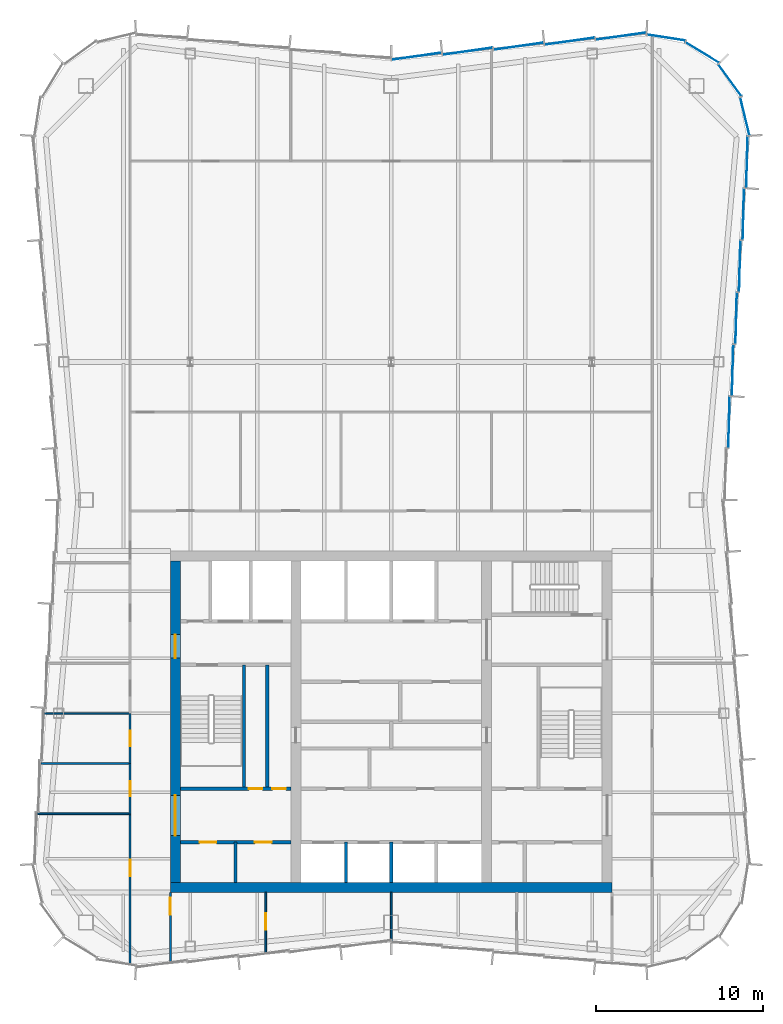
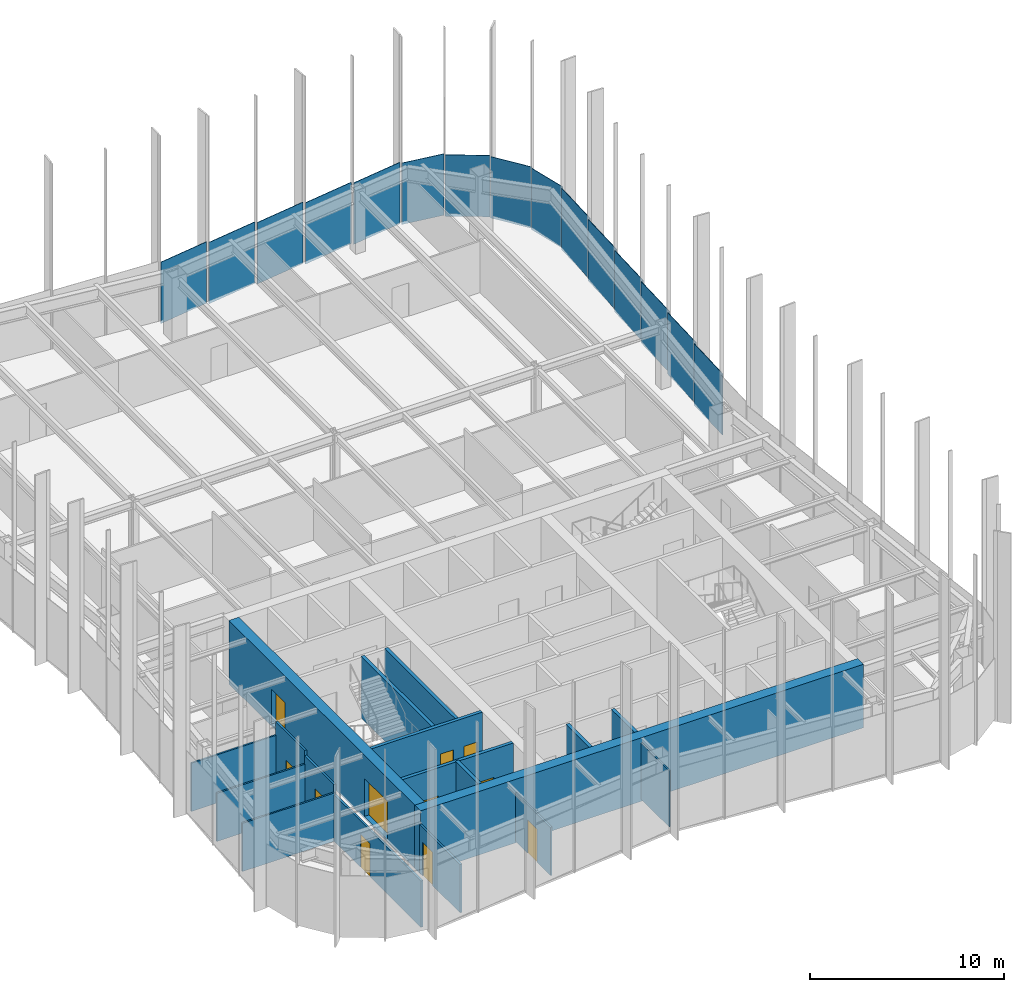
# One storey, part 9 of 13: 18 walls, 15 plates, 11 doors, 11 openings, 3 elements without a shape of their own.
"""IFC4 building model written with IfcOpenShell, lengths in metres."""

import ifcopenshell
import ifcopenshell.guid

model = None  # the IFC model being written
_history = None  # IfcOwnerHistory: only IFC2X3 demands one
_inside = {}  # id of a spatial element -> (the spatial element, [elements in it])
_under = {}  # id of a project, library or spatial element -> (it, [spatial elements below it])
_declared = {}  # id of a project -> (the project, [libraries it declares])
_typed = {}  # id of a type object -> (the type object, [elements of that type])
_made_of = {}  # id of a material, layer set ... -> (it, [elements and type objects made of it])


def new_model(schema):
    """Start an empty IFC model of exactly this schema.

    Asked for "IFC4X3", IfcOpenShell would pick the latest addendum, in which some entities
    have other attributes; the version numbers below select the first issue.
    IFC2X3 requires an IfcOwnerHistory on every rooted entity: one is made here for all.
    """
    global model, _history
    if schema == "IFC4X3":
        model = ifcopenshell.file(schema_version=(4, 3, 0, 0))
    else:
        model = ifcopenshell.file(schema=schema)
    _inside.clear()
    _under.clear()
    _declared.clear()
    _typed.clear()
    _made_of.clear()
    _history = None
    if model.schema == "IFC2X3":
        org = make("IfcOrganization", Name="unknown")
        user = make(
            "IfcPersonAndOrganization",
            ThePerson=make("IfcPerson", FamilyName="unknown"),
            TheOrganization=org,
        )
        app = make(
            "IfcApplication",
            ApplicationDeveloper=org,
            Version="unknown",
            ApplicationFullName="unknown",
            ApplicationIdentifier="unknown",
        )
        _history = make(
            "IfcOwnerHistory",
            OwningUser=user,
            OwningApplication=app,
            ChangeAction="ADDED",
            CreationDate=0,
        )
    return model


def make(cls, **values):
    """One entity of the class cls with the attributes given. An attribute that is None is left unset."""
    return model.create_entity(
        cls, **{name: value for name, value in values.items() if value is not None}
    )


def rooted(cls, **values):
    """An entity with a GlobalId (a new one), such as an element, a storey or a relation."""
    return make(cls, GlobalId=ifcopenshell.guid.new(), OwnerHistory=_history, **values)


def si_unit(unit_type, name, prefix=None):
    """IfcSIUnit, for example si_unit("LENGTHUNIT", "METRE", prefix="MILLI")."""
    return make("IfcSIUnit", UnitType=unit_type, Prefix=prefix, Name=name)


def assignment(units):
    """IfcUnitAssignment: the units of a project."""
    return None if units is None else make("IfcUnitAssignment", Units=units)


def point(xyz):
    """IfcCartesianPoint."""
    return None if xyz is None else make("IfcCartesianPoint", Coordinates=xyz)


def direction(xyz):
    """IfcDirection."""
    return None if xyz is None else make("IfcDirection", DirectionRatios=xyz)


def frame(location, z_axis=None, x_axis=None):
    """IfcAxis2Placement3D, a coordinate frame: its origin and axes. An axis left out is left unset."""
    return make(
        "IfcAxis2Placement3D",
        Location=point(location),
        Axis=direction(z_axis),
        RefDirection=direction(x_axis),
    )


def frame_2d(location, x_axis=None):
    """IfcAxis2Placement2D, a coordinate frame in the plane: its origin and x axis."""
    return make(
        "IfcAxis2Placement2D", Location=point(location), RefDirection=direction(x_axis)
    )


def origin():
    """The frame at (0, 0, 0) with its axes left unset."""
    return frame((0.0, 0.0, 0.0))


def origin_2d():
    """The frame at (0, 0) in the plane with its x axis left unset."""
    return frame_2d((0.0, 0.0))


def place(relative_to, where):
    """IfcLocalPlacement: puts the frame where relative to a parent placement (None: the world)."""
    return make(
        "IfcLocalPlacement", PlacementRelTo=relative_to, RelativePlacement=where
    )


def context(
    kind, dimensions, precision=None, world=None, true_north=None, identifier=None
):
    """IfcGeometricRepresentationContext, for example the 3D "Model" context."""
    return make(
        "IfcGeometricRepresentationContext",
        ContextIdentifier=identifier,
        ContextType=kind,
        CoordinateSpaceDimension=dimensions,
        Precision=precision,
        WorldCoordinateSystem=world,
        TrueNorth=true_north,
    )


def subcontext(parent, identifier, kind, view, scale=None):
    """IfcGeometricRepresentationSubContext, for example "Body" below "Model"."""
    return make(
        "IfcGeometricRepresentationSubContext",
        ContextIdentifier=identifier,
        ContextType=kind,
        ParentContext=parent,
        TargetScale=scale,
        TargetView=view,
    )


def project(units=None, contexts=None):
    """IfcProject with its units and contexts."""
    return rooted(
        "IfcProject",
        Name="project",
        RepresentationContexts=contexts,
        UnitsInContext=assignment(units),
    )


def spatial(cls, under=None, at=None, **own):
    """A site, building, storey or space (cls), placed at a placement, below another one or the project."""
    s = rooted(cls, ObjectPlacement=at, **own)
    if under is not None:
        _under.setdefault(under.id(), (under, []))[1].append(s)
    return s


def profile(cls, at=None, kind="AREA", **sizes):
    """A parametric profile (cls). Its sizes go by their IFC names, for example OverallWidth=200.0."""
    return make(cls, ProfileType=kind, Position=at, **sizes)


def rectangle(**sizes):
    """IfcRectangleProfileDef."""
    return profile("IfcRectangleProfileDef", **sizes)


def extrude(swept, where, along, depth):
    """IfcExtrudedAreaSolid: the profile swept, set in the frame where, extruded along a direction by depth."""
    return make(
        "IfcExtrudedAreaSolid",
        SweptArea=swept,
        Position=where,
        ExtrudedDirection=direction(along),
        Depth=depth,
    )


def shape(context_of_items, identifier, shape_type, items):
    """IfcShapeRepresentation: the items that make up one representation, for example the "Body"."""
    return make(
        "IfcShapeRepresentation",
        ContextOfItems=context_of_items,
        RepresentationIdentifier=identifier,
        RepresentationType=shape_type,
        Items=items,
    )


def material(Name=None, Category=None):
    """IfcMaterial."""
    return make("IfcMaterial", Name=Name, Category=Category)


def layer(
    of_material, thickness, ventilated=None, Name=None, Category=None, Priority=None
):
    """IfcMaterialLayer: one layer of a wall or slab, of a material (None: an air gap)."""
    return make(
        "IfcMaterialLayer",
        Material=of_material,
        LayerThickness=thickness,
        IsVentilated=ventilated,
        Name=Name,
        Category=Category,
        Priority=Priority,
    )


def layer_set(layers, Name=None):
    """IfcMaterialLayerSet."""
    return make("IfcMaterialLayerSet", MaterialLayers=layers, LayerSetName=Name)


def made_of(thing, what):
    """Note that an element or type object is made of a material, layer set ...; save() writes the relation."""
    if what is not None:
        _made_of.setdefault(what.id(), (what, []))[1].append(thing)
    return thing


def type_object(cls, material=None, **own):
    """A type object (cls), such as IfcWallType, which elements share."""
    return made_of(rooted(cls, **own), material)


def element(
    cls,
    number,
    at=None,
    inside=None,
    cuts=None,
    type_object=None,
    material=None,
    context=None,
    identifier="Body",
    shape_type=None,
    held_by="IfcProductDefinitionShape",
    body=None,
    shapes=None,
    **own,
):
    """One element of the class cls, such as IfcWall. Its Tag is "e" and its number.

    at: its placement. inside: the storey or other place that contains it. cuts: it is an
    opening in that element (IfcRelVoidsElement). A single representation is given by context,
    identifier, shape_type and body (its items); several are given by shapes. held_by: the class
    of the entity that holds the representations. save() writes the other relations.
    """
    e = rooted(cls, Tag="e%d" % number, ObjectPlacement=at, **own)
    if body is not None:
        shapes = [shape(context, identifier, shape_type, body)]
    if shapes is not None:
        e.Representation = make(held_by, Representations=shapes)
    if inside is not None:
        _inside.setdefault(inside.id(), (inside, []))[1].append(e)
    if cuts is not None:
        rooted(
            "IfcRelVoidsElement", RelatingBuildingElement=cuts, RelatedOpeningElement=e
        )
    if type_object is not None:
        _typed.setdefault(type_object.id(), (type_object, []))[1].append(e)
    return made_of(e, material)


def fill(opening, filler):
    """IfcRelFillsElement: the door or window that sits in an opening."""
    return rooted(
        "IfcRelFillsElement",
        RelatingOpeningElement=opening,
        RelatedBuildingElement=filler,
    )


def aggregate(whole, parts):
    """IfcRelAggregates: a whole, such as a stair, and the parts it consists of."""
    return rooted("IfcRelAggregates", RelatingObject=whole, RelatedObjects=parts)


def save(model, path):
    """Write the relations noted so far, then the file.

    IfcRelAggregates (storeys below a building ...), IfcRelContainedInSpatialStructure (elements
    in a storey), IfcRelDefinesByType, IfcRelAssociatesMaterial and IfcRelDeclares: one each for
    every whole, place, type object, material and project.
    """
    for whole, parts in _under.values():
        aggregate(whole, parts)
    for where, things in _inside.values():
        rooted(
            "IfcRelContainedInSpatialStructure",
            RelatedElements=things,
            RelatingStructure=where,
        )
    for kind, things in _typed.values():
        rooted("IfcRelDefinesByType", RelatedObjects=things, RelatingType=kind)
    for what, things in _made_of.values():
        rooted("IfcRelAssociatesMaterial", RelatedObjects=things, RelatingMaterial=what)
    for by, libraries in _declared.values():
        rooted("IfcRelDeclares", RelatingContext=by, RelatedDefinitions=libraries)
    model.write(path)


model = new_model("IFC4")

# Units and contexts
model_context = context("Model", 3, precision=1e-05, world=origin(), true_north=direction((0.0, 1.0)))
body_context = subcontext(model_context, "Body", "Model", "MODEL_VIEW")
ifc_project = project(units=[si_unit("LENGTHUNIT", "METRE"), si_unit("AREAUNIT", "SQUARE_METRE"), si_unit("VOLUMEUNIT", "CUBIC_METRE"), si_unit("PLANEANGLEUNIT", "RADIAN"), si_unit("MASSUNIT", "GRAM", prefix="KILO")], contexts=[model_context])

# Site, building, storey
site_placement = place(None, origin())
site = spatial("IfcSite", under=ifc_project, at=site_placement, CompositionType="ELEMENT")
building_placement = place(site_placement, origin())
building = spatial("IfcBuilding", under=site, at=building_placement, Name="Verdant Reach Tower", CompositionType="ELEMENT")
storey_placement = place(building_placement, frame((0.0, 0.0, 318.0)))
storey = spatial("IfcBuildingStorey", under=building, at=storey_placement, Name="L73", CompositionType="ELEMENT", Elevation=318.0)

# Curtain wall, plate
ifc_material_1 = material(Name="Anodised aluminium", Category="aluminium")
curtain_wall_type = type_object("IfcCurtainWallType", Name="EN-CW SYSTEM Z5", PredefinedType="NOTDEFINED", material=ifc_material_1)
curtain_wall_1_placement = place(storey_placement, origin())
curtain_wall_1 = element("IfcCurtainWall", 1, at=curtain_wall_1_placement, inside=storey, type_object=curtain_wall_type, Name="Curtain wall east, L73", PredefinedType="NOTDEFINED")
ifc_material_2 = material(Name="Tinted glass with champagne spandrel", Category="glass")
ifc_layer_1 = layer(ifc_material_2, 0.031982421875)
ifc_layer_set_1 = layer_set([ifc_layer_1], Name="EN-PANEL CHAMPAGNE")
plate_type_1 = type_object("IfcPlateType", Name="EN-PANEL CHAMPAGNE", PredefinedType="CURTAIN_PANEL", material=ifc_layer_set_1)
plate_1_placement = place(storey_placement, frame((20.18603515625, 45.90283203125, -0.219970703125), z_axis=(0.0, 0.0, 1.0), x_axis=(0.026965318308, 0.999636369691, 0.0)))
plate_1 = element("IfcPlate", 2, at=plate_1_placement, type_object=plate_type_1, Name="Glass panel east face part 2 2.1, L73", PredefinedType="CURTAIN_PANEL", context=body_context, shape_type="SweptSolid", body=[
    extrude(rectangle(XDim=3.048583984375, YDim=0.031982421875, at=origin_2d()), origin(), (0.0, 0.0, 1.0), 3.8701171875),
])

curtain_wall_2_placement = place(storey_placement, origin())
curtain_wall_2 = element("IfcCurtainWall", 3, at=curtain_wall_2_placement, inside=storey, type_object=curtain_wall_type, Name="Curtain wall north, L73", PredefinedType="NOTDEFINED")
plate_2_placement = place(storey_placement, frame((1.519287109375, 67.7646484375, -0.219970703125), z_axis=(0.0, 0.0, 1.0), x_axis=(-0.990200074141, -0.139656053116, 0.0)))
plate_2 = element("IfcPlate", 4, at=plate_2_placement, type_object=plate_type_1, Name="Glass panel north face part 1 5.1, L73", PredefinedType="CURTAIN_PANEL", context=body_context, shape_type="SweptSolid", body=[
    extrude(rectangle(XDim=2.987548828125, YDim=0.031982421875, at=origin_2d()), origin(), (0.0, 0.0, 1.0), 3.8701171875),
])

# Plate
ifc_material_3 = material(Name="Tinted glass with copper spandrel", Category="glass")
ifc_layer_2 = layer(ifc_material_3, 0.031982421875)
ifc_layer_set_2 = layer_set([ifc_layer_2], Name="EN-PANEL COPPER")
plate_type_2 = type_object("IfcPlateType", Name="EN-PANEL COPPER", PredefinedType="CURTAIN_PANEL", material=ifc_layer_set_2)
plate_3_placement = place(storey_placement, frame((20.400390625, 49.010009765625, -0.219970703125), z_axis=(0.0, 0.0, 1.0), x_axis=(0.026965318308, 0.999636369691, 0.0)))
plate_3 = element("IfcPlate", 5, at=plate_3_placement, type_object=plate_type_2, Name="Glass panel east face part 2 3.1, L73", PredefinedType="CURTAIN_PANEL", context=body_context, shape_type="SweptSolid", body=[
    extrude(rectangle(XDim=3.048583984375, YDim=0.031982421875, at=origin_2d()), origin(), (0.0, 0.0, 1.0), 3.8701171875),
])

plate_4_placement = place(storey_placement, frame((20.61474609375, 52.1171875, -0.219970703125), z_axis=(0.0, 0.0, 1.0), x_axis=(0.026965318308, 0.999636369691, 0.0)))
plate_4 = element("IfcPlate", 6, at=plate_4_placement, type_object=plate_type_2, Name="Glass panel east face part 2 4.1, L73", PredefinedType="CURTAIN_PANEL", context=body_context, shape_type="SweptSolid", body=[
    extrude(rectangle(XDim=3.048583984375, YDim=0.031982421875, at=origin_2d()), origin(), (0.0, 0.0, 1.0), 3.8701171875),
])

# Curtain wall, plates
curtain_wall_3_placement = place(storey_placement, origin())
curtain_wall_3 = element("IfcCurtainWall", 7, at=curtain_wall_3_placement, inside=storey, type_object=curtain_wall_type, Name="Curtain wall north-east corner, L73", PredefinedType="NOTDEFINED")
plate_5_placement = place(storey_placement, frame((21.132080078125, 64.173828125, -0.219970703125), z_axis=(0.0, 0.0, 1.0), x_axis=(-0.236471447122, 0.971638438256, 0.0)))
plate_5 = element("IfcPlate", 8, at=plate_5_placement, type_object=plate_type_2, Name="Glass panel north-east corner 1.1, L73", PredefinedType="CURTAIN_PANEL", context=body_context, shape_type="SweptSolid", body=[
    extrude(rectangle(XDim=2.312744140625, YDim=0.031982421875, at=origin_2d()), origin(), (0.0, 0.0, 1.0), 3.8701171875),
])
plate_6_placement = place(storey_placement, frame((20.23681640625, 66.33203125, -0.219970703125), z_axis=(0.0, 0.0, 1.0), x_axis=(-0.58992672698, 0.807456783236, 0.0)))
plate_6 = element("IfcPlate", 9, at=plate_6_placement, type_object=plate_type_2, Name="Glass panel north-east corner 2.1, L73", PredefinedType="CURTAIN_PANEL", context=body_context, shape_type="SweptSolid", body=[
    extrude(rectangle(XDim=2.320068359375, YDim=0.031982421875, at=origin_2d()), origin(), (0.0, 0.0, 1.0), 3.8701171875),
])
plate_7_placement = place(storey_placement, frame((18.58203125, 67.98681640625, -0.219970703125), z_axis=(0.0, 0.0, 1.0), x_axis=(-0.853988714885, 0.520291528711, 0.0)))
plate_7 = element("IfcPlate", 10, at=plate_7_placement, type_object=plate_type_2, Name="Glass panel north-east corner 3.1, L73", PredefinedType="CURTAIN_PANEL", context=body_context, shape_type="SweptSolid", body=[
    extrude(rectangle(XDim=2.320068359375, YDim=0.031982421875, at=origin_2d()), origin(), (0.0, 0.0, 1.0), 3.8701171875),
])

# Plate
plate_8_placement = place(storey_placement, frame((13.72216796875, 68.964599609375, -0.219970703125), z_axis=(0.0, 0.0, 1.0), x_axis=(-0.990281521639, -0.139077345032, 0.0)))
plate_8 = element("IfcPlate", 11, at=plate_8_placement, type_object=plate_type_2, Name="Glass panel north face part 1 1.1, L73", PredefinedType="CURTAIN_PANEL", context=body_context, shape_type="SweptSolid", body=[
    extrude(rectangle(XDim=3.015625, YDim=0.031982421875, at=origin_2d()), origin(), (0.0, 0.0, 1.0), 3.8701171875),
])

ifc_material_4 = material(Name="Tinted glass with dark bronze spandrel", Category="glass")
ifc_layer_3 = layer(ifc_material_4, 0.031982421875)
ifc_layer_set_3 = layer_set([ifc_layer_3], Name="EN-PANEL DARK")
plate_type_3 = type_object("IfcPlateType", Name="EN-PANEL DARK", PredefinedType="CURTAIN_PANEL", material=ifc_layer_set_3)
plate_9_placement = place(storey_placement, frame((20.8291015625, 55.22412109375, -0.219970703125), z_axis=(0.0, 0.0, 1.0), x_axis=(0.026965318308, 0.999636369691, 0.0)))
plate_9 = element("IfcPlate", 12, at=plate_9_placement, type_object=plate_type_3, Name="Glass panel east face part 2 5.1, L73", PredefinedType="CURTAIN_PANEL", context=body_context, shape_type="SweptSolid", body=[
    extrude(rectangle(XDim=3.048583984375, YDim=0.031982421875, at=origin_2d()), origin(), (0.0, 0.0, 1.0), 3.8701171875),
])

plate_10_placement = place(storey_placement, frame((21.043212890625, 58.331298828125, -0.219970703125), z_axis=(0.0, 0.0, 1.0), x_axis=(0.026965318308, 0.999636369691, 0.0)))
plate_10 = element("IfcPlate", 13, at=plate_10_placement, type_object=plate_type_3, Name="Glass panel east face part 2 6.1, L73", PredefinedType="CURTAIN_PANEL", context=body_context, shape_type="SweptSolid", body=[
    extrude(rectangle(XDim=3.048583984375, YDim=0.031982421875, at=origin_2d()), origin(), (0.0, 0.0, 1.0), 3.8701171875),
])

plate_11_placement = place(storey_placement, frame((21.257568359375, 61.446044921875, -0.219970703125), z_axis=(0.0, 0.0, 1.0), x_axis=(0.026642881595, 0.999645015423, 0.0)))
plate_11 = element("IfcPlate", 14, at=plate_11_placement, type_object=plate_type_3, Name="Glass panel east face part 2 7.1, L73", PredefinedType="CURTAIN_PANEL", context=body_context, shape_type="SweptSolid", body=[
    extrude(rectangle(XDim=3.063720703125, YDim=0.031982421875, at=origin_2d()), origin(), (0.0, 0.0, 1.0), 3.8701171875),
])

aggregate(curtain_wall_1, [plate_1, plate_3, plate_4, plate_9, plate_10, plate_11])

plate_12_placement = place(storey_placement, frame((16.4228515625, 68.88232421875, -0.219970703125), z_axis=(0.0, 0.0, 1.0), x_axis=(-0.988033409454, 0.154240013621, 0.0)))
plate_12 = element("IfcPlate", 15, at=plate_12_placement, type_object=plate_type_3, Name="Glass panel north-east corner 4.1, L73", PredefinedType="CURTAIN_PANEL", context=body_context, shape_type="SweptSolid", body=[
    extrude(rectangle(XDim=2.314453125, YDim=0.031982421875, at=origin_2d()), origin(), (0.0, 0.0, 1.0), 3.8701171875),
])

aggregate(curtain_wall_3, [plate_5, plate_6, plate_7, plate_12])

plate_13_placement = place(storey_placement, frame((10.663818359375, 68.66455078125, -0.219970703125), z_axis=(0.0, 0.0, 1.0), x_axis=(-0.990225318365, -0.139476947446, 0.0)))
plate_13 = element("IfcPlate", 16, at=plate_13_placement, type_object=plate_type_3, Name="Glass panel north face part 1 2.1, L73", PredefinedType="CURTAIN_PANEL", context=body_context, shape_type="SweptSolid", body=[
    extrude(rectangle(XDim=2.998779296875, YDim=0.031982421875, at=origin_2d()), origin(), (0.0, 0.0, 1.0), 3.8701171875),
])

plate_14_placement = place(storey_placement, frame((7.61376953125, 68.364501953125, -0.219970703125), z_axis=(0.0, 0.0, 1.0), x_axis=(-0.990225318365, -0.139476947446, 0.0)))
plate_14 = element("IfcPlate", 17, at=plate_14_placement, type_object=plate_type_3, Name="Glass panel north face part 1 3.1, L73", PredefinedType="CURTAIN_PANEL", context=body_context, shape_type="SweptSolid", body=[
    extrude(rectangle(XDim=2.998779296875, YDim=0.031982421875, at=origin_2d()), origin(), (0.0, 0.0, 1.0), 3.8701171875),
])

plate_15_placement = place(storey_placement, frame((4.563720703125, 68.064453125, -0.219970703125), z_axis=(0.0, 0.0, 1.0), x_axis=(-0.990225318365, -0.139476947446, 0.0)))
plate_15 = element("IfcPlate", 18, at=plate_15_placement, type_object=plate_type_3, Name="Glass panel north face part 1 4.1, L73", PredefinedType="CURTAIN_PANEL", context=body_context, shape_type="SweptSolid", body=[
    extrude(rectangle(XDim=2.998779296875, YDim=0.031982421875, at=origin_2d()), origin(), (0.0, 0.0, 1.0), 3.8701171875),
])

aggregate(curtain_wall_2, [plate_8, plate_13, plate_14, plate_15, plate_2])

# Wall, openings, doors
ifc_material_5 = material(Name="Gypsum board on steel studs", Category="steel")
ifc_layer_4 = layer(ifc_material_5, 0.199951171875)
ifc_layer_set_4 = layer_set([ifc_layer_4], Name="CO-WALL-ROOM")
wall_type_1 = type_object("IfcWallType", Name="CO-WALL-ROOM", PredefinedType="PARTITIONING", material=ifc_layer_set_4)
wall_1_placement = place(storey_placement, frame((-12.60009765625, 20.800048828125, 0.0), z_axis=(0.0, 0.0, 1.0), x_axis=(1.0, 0.0, 0.0)))
wall_1 = element("IfcWall", 19, at=wall_1_placement, inside=storey, type_object=wall_type_1, Name="Core partition, L73", PredefinedType="PARTITIONING", context=body_context, shape_type="SweptSolid", body=[
    extrude(rectangle(XDim=6.60009765625, YDim=0.199951171875, at=frame_2d((3.300048828125, 0.0))), origin(), (0.0, 0.0, 1.0), 3.8701171875),
])
opening_1_placement = place(wall_1_placement, frame((1.14990234375, 0.0, 0.0)))
opening_1 = element("IfcOpeningElement", 20, at=opening_1_placement, cuts=wall_1, Name="Opening CD", PredefinedType="OPENING", context=body_context, shape_type="SweptSolid", body=[
    extrude(rectangle(XDim=1.0, YDim=2.10009765625, at=frame_2d((0.5, 1.050048828125))), frame((0.0, 0.10986328125, 0.0), z_axis=(0.0, -1.0, 0.0), x_axis=(1.0, 0.0, 0.0)), (0.0, 0.0, 1.0), 0.219970703125),
])
opening_2_placement = place(wall_1_placement, frame((4.449951171875, 0.0, 0.0)))
opening_2 = element("IfcOpeningElement", 21, at=opening_2_placement, cuts=wall_1, Name="Opening CD", PredefinedType="OPENING", context=body_context, shape_type="SweptSolid", body=[
    extrude(rectangle(XDim=1.0, YDim=2.10009765625, at=frame_2d((0.5, 1.050048828125))), frame((0.0, 0.10986328125, 0.0), z_axis=(0.0, -1.0, 0.0), x_axis=(1.0, 0.0, 0.0)), (0.0, 0.0, 1.0), 0.219970703125),
])
ifc_material_6 = material(Name="Timber", Category="wood")
door_type_1 = type_object("IfcDoorType", Name="CO-DOOR-ROOM", OperationType="NOTDEFINED", PredefinedType="DOOR", material=ifc_material_6)
door_1_placement = place(opening_1_placement, origin())
door_1 = element("IfcDoor", 22, at=door_1_placement, inside=storey, type_object=door_type_1, Name="Core room door, L73", OperationType="SINGLE_SWING_LEFT", OverallHeight=2.10009765625, OverallWidth=1.0, PredefinedType="DOOR", context=body_context, shape_type="SweptSolid", body=[
    extrude(rectangle(XDim=1.0, YDim=2.10009765625, at=frame_2d((0.5, 1.050048828125))), frame((0.0, 0.02490234375, 0.0), z_axis=(0.0, -1.0, 0.0), x_axis=(1.0, 0.0, 0.0)), (0.0, 0.0, 1.0), 0.050048828125),
])
fill(opening_1, door_1)
door_2_placement = place(opening_2_placement, origin())
door_2 = element("IfcDoor", 23, at=door_2_placement, inside=storey, type_object=door_type_1, Name="Core room door, L73", OperationType="SINGLE_SWING_LEFT", OverallHeight=2.10009765625, OverallWidth=1.0, PredefinedType="DOOR", context=body_context, shape_type="SweptSolid", body=[
    extrude(rectangle(XDim=1.0, YDim=2.10009765625, at=frame_2d((0.5, 1.050048828125))), frame((0.0, 0.02490234375, 0.0), z_axis=(0.0, -1.0, 0.0), x_axis=(1.0, 0.0, 0.0)), (0.0, 0.0, 1.0), 0.050048828125),
])
fill(opening_2, door_2)

# Walls
wall_2_placement = place(storey_placement, frame((-9.300048828125, 18.39990234375, 0.0), z_axis=(0.0, 0.0, 1.0), x_axis=(0.0, 1.0, 0.0)))
element("IfcWall", 24, at=wall_2_placement, inside=storey, type_object=wall_type_1, Name="Core partition, L73", PredefinedType="PARTITIONING", context=body_context, shape_type="SweptSolid", body=[
    extrude(rectangle(XDim=2.400146484375, YDim=0.199951171875, at=frame_2d((1.2001953125, 0.0))), origin(), (0.0, 0.0, 1.0), 3.8701171875),
])
wall_3_placement = place(storey_placement, frame((-7.39990234375, 24.0, 0.0), z_axis=(0.0, 0.0, 1.0), x_axis=(0.0, 1.0, 0.0)))
element("IfcWall", 25, at=wall_3_placement, inside=storey, type_object=wall_type_1, Name="Core partition, L73", PredefinedType="PARTITIONING", context=body_context, shape_type="SweptSolid", body=[
    extrude(rectangle(XDim=7.39990234375, YDim=0.199951171875, at=frame_2d((3.699951171875, 0.0))), origin(), (0.0, 0.0, 1.0), 3.8701171875),
])
ifc_material_7 = material(Name="Concrete C40/50", Category="concrete")
ifc_layer_5 = layer(ifc_material_7, 0.199951171875)
ifc_layer_set_5 = layer_set([ifc_layer_5], Name="CO-WALL-SHAFT")
wall_type_2 = type_object("IfcWallType", Name="CO-WALL-SHAFT", PredefinedType="PARTITIONING", material=ifc_layer_set_5)
for number, where, z_axis, x_axis, name in (
    (26, (-2.699951171875, 18.39990234375, 0.0), (0.0, 0.0, 1.0), (0.0, 1.0, 0.0), "Lift shaft wall, L73"),
    (27, (0.0, 18.39990234375, 0.0), (0.0, 0.0, 1.0), (0.0, 1.0, 0.0), "Lift shaft wall, L73"),
):
    element("IfcWall", number, at=place(storey_placement, frame(where, z_axis=z_axis, x_axis=x_axis)), inside=storey, type_object=wall_type_2, Name=name, PredefinedType="PARTITIONING", context=body_context, shape_type="SweptSolid", body=[
        extrude(rectangle(XDim=2.400146484375, YDim=0.199951171875, at=frame_2d((1.2001953125, 0.0))), origin(), (0.0, 0.0, 1.0), 3.8701171875),
    ])

# Wall, openings, doors
ifc_layer_6 = layer(ifc_material_7, 0.199951171875)
ifc_layer_set_6 = layer_set([ifc_layer_6], Name="CO-WALL-STAIR")
wall_type_3 = type_object("IfcWallType", Name="CO-WALL-STAIR", PredefinedType="PARTITIONING", material=ifc_layer_set_6)
wall_4_placement = place(storey_placement, frame((-12.60009765625, 24.0, 0.0), z_axis=(0.0, 0.0, 1.0), x_axis=(1.0, 0.0, 0.0)))
wall_4 = element("IfcWall", 28, at=wall_4_placement, inside=storey, type_object=wall_type_3, Name="Stair enclosure wall, L73", PredefinedType="PARTITIONING", context=body_context, shape_type="SweptSolid", body=[
    extrude(rectangle(XDim=6.60009765625, YDim=0.199951171875, at=frame_2d((3.300048828125, 0.0))), origin(), (0.0, 0.0, 1.0), 3.8701171875),
])
opening_3_placement = place(wall_4_placement, frame((4.10009765625, 0.0, 0.0)))
opening_3 = element("IfcOpeningElement", 29, at=opening_3_placement, cuts=wall_4, Name="Opening CDN", PredefinedType="OPENING", context=body_context, shape_type="SweptSolid", body=[
    extrude(rectangle(XDim=0.800048828125, YDim=2.10009765625, at=frame_2d((0.39990234375, 1.050048828125))), frame((0.0, 0.10986328125, 0.0), z_axis=(0.0, -1.0, 0.0), x_axis=(1.0, 0.0, 0.0)), (0.0, 0.0, 1.0), 0.219970703125),
])
opening_4_placement = place(wall_4_placement, frame((5.5, 0.0, 0.0)))
opening_4 = element("IfcOpeningElement", 30, at=opening_4_placement, cuts=wall_4, Name="Opening CDN", PredefinedType="OPENING", context=body_context, shape_type="SweptSolid", body=[
    extrude(rectangle(XDim=0.800048828125, YDim=2.10009765625, at=frame_2d((0.39990234375, 1.050048828125))), frame((0.0, 0.10986328125, 0.0), z_axis=(0.0, -1.0, 0.0), x_axis=(1.0, 0.0, 0.0)), (0.0, 0.0, 1.0), 0.219970703125),
])
door_type_2 = type_object("IfcDoorType", Name="CO-DOOR-ROOM-NARROW", OperationType="NOTDEFINED", PredefinedType="DOOR", material=ifc_material_6)
door_3_placement = place(opening_3_placement, origin())
door_3 = element("IfcDoor", 31, at=door_3_placement, inside=storey, type_object=door_type_2, Name="Core room door, L73", OperationType="SINGLE_SWING_LEFT", OverallHeight=2.10009765625, OverallWidth=0.800048828125, PredefinedType="DOOR", context=body_context, shape_type="SweptSolid", body=[
    extrude(rectangle(XDim=0.800048828125, YDim=2.10009765625, at=frame_2d((0.39990234375, 1.050048828125))), frame((0.0, 0.02490234375, 0.0), z_axis=(0.0, -1.0, 0.0), x_axis=(1.0, 0.0, 0.0)), (0.0, 0.0, 1.0), 0.050048828125),
])
fill(opening_3, door_3)
door_4_placement = place(opening_4_placement, origin())
door_4 = element("IfcDoor", 32, at=door_4_placement, inside=storey, type_object=door_type_2, Name="Core room door, L73", OperationType="SINGLE_SWING_RIGHT", OverallHeight=2.10009765625, OverallWidth=0.800048828125, PredefinedType="DOOR", context=body_context, shape_type="SweptSolid", body=[
    extrude(rectangle(XDim=0.800048828125, YDim=2.10009765625, at=frame_2d((0.39990234375, 1.050048828125))), frame((0.0, 0.02490234375, 0.0), z_axis=(0.0, -1.0, 0.0), x_axis=(1.0, 0.0, 0.0)), (0.0, 0.0, 1.0), 0.050048828125),
])
fill(opening_4, door_4)

# Walls
wall_5_placement = place(storey_placement, frame((-8.800048828125, 24.0, 0.0), z_axis=(0.0, 0.0, 1.0), x_axis=(0.0, 1.0, 0.0)))
element("IfcWall", 33, at=wall_5_placement, inside=storey, type_object=wall_type_3, Name="Stair enclosure wall, L73", PredefinedType="PARTITIONING", context=body_context, shape_type="SweptSolid", body=[
    extrude(rectangle(XDim=7.39990234375, YDim=0.199951171875, at=frame_2d((3.699951171875, 0.0))), origin(), (0.0, 0.0, 1.0), 3.8701171875),
])
ifc_layer_7 = layer(ifc_material_5, 0.10009765625)
ifc_layer_set_7 = layer_set([ifc_layer_7], Name="FL-W1 Partition 100")
wall_type_4 = type_object("IfcWallType", Name="FL-W1 Partition 100", PredefinedType="PARTITIONING", material=ifc_layer_set_7)
wall_6_placement = place(storey_placement, frame((-15.60009765625, 22.5, 0.0), z_axis=(0.0, 0.0, 1.0), x_axis=(-1.0, 0.0, 0.0)))
element("IfcWall", 34, at=wall_6_placement, inside=storey, type_object=wall_type_4, Name="Partition 73.16", PredefinedType="PARTITIONING", context=body_context, shape_type="SweptSolid", body=[
    extrude(rectangle(XDim=5.52294921875, YDim=0.10009765625, at=frame_2d((2.761474609375, 0.0))), origin(), (0.0, 0.0, 1.0), 3.0400390625),
])
wall_7_placement = place(storey_placement, frame((-15.60009765625, 25.5, 0.0), z_axis=(0.0, 0.0, 1.0), x_axis=(-1.0, 0.0, 0.0)))
element("IfcWall", 35, at=wall_7_placement, inside=storey, type_object=wall_type_4, Name="Partition 73.17", PredefinedType="PARTITIONING", context=body_context, shape_type="SweptSolid", body=[
    extrude(rectangle(XDim=5.316162109375, YDim=0.10009765625, at=frame_2d((2.658203125, 0.0))), origin(), (0.0, 0.0, 1.0), 3.0400390625),
])
wall_8_placement = place(storey_placement, frame((-15.60009765625, 28.5, 0.0), z_axis=(0.0, 0.0, 1.0), x_axis=(-1.0, 0.0, 0.0)))
element("IfcWall", 36, at=wall_8_placement, inside=storey, type_object=wall_type_4, Name="Partition 73.18", PredefinedType="PARTITIONING", context=body_context, shape_type="SweptSolid", body=[
    extrude(rectangle(XDim=5.109130859375, YDim=0.10009765625, at=frame_2d((2.5546875, 0.0))), origin(), (0.0, 0.0, 1.0), 3.0400390625),
])

# Wall, opening, door
wall_9_placement = place(storey_placement, frame((-7.5, 17.800048828125, 0.0), z_axis=(0.0, 0.0, 1.0), x_axis=(0.0, -1.0, 0.0)))
wall_9 = element("IfcWall", 37, at=wall_9_placement, inside=storey, type_object=wall_type_4, Name="Partition 73.29", PredefinedType="PARTITIONING", context=body_context, shape_type="SweptSolid", body=[
    extrude(rectangle(XDim=3.61767578125, YDim=0.10009765625, at=frame_2d((1.808837890625, 0.0))), origin(), (0.0, 0.0, 1.0), 3.0400390625),
])
opening_5_placement = place(wall_9_placement, frame((1.24365234375, 0.0, 0.0)))
opening_5 = element("IfcOpeningElement", 38, at=opening_5_placement, cuts=wall_9, Name="Opening D3", PredefinedType="OPENING", context=body_context, shape_type="SweptSolid", body=[
    extrude(rectangle(XDim=1.0, YDim=2.10009765625, at=frame_2d((0.5, 1.050048828125))), frame((0.0, 0.06005859375, 0.0), z_axis=(0.0, -1.0, 0.0), x_axis=(1.0, 0.0, 0.0)), (0.0, 0.0, 1.0), 0.1201171875),
])
ifc_material_8 = material(Name="Painted timber door leaf", Category="wood")
door_type_3 = type_object("IfcDoorType", Name="FL-D3 Door 1000x2100", OperationType="NOTDEFINED", PredefinedType="DOOR", material=ifc_material_8)
door_5_placement = place(opening_5_placement, origin())
door_5 = element("IfcDoor", 39, at=door_5_placement, inside=storey, type_object=door_type_3, Name="Door 73-016", OperationType="SINGLE_SWING_LEFT", OverallHeight=2.10009765625, OverallWidth=1.0, PredefinedType="DOOR", context=body_context, shape_type="SweptSolid", body=[
    extrude(rectangle(XDim=1.0, YDim=2.10009765625, at=frame_2d((0.5, 1.050048828125))), frame((0.0, 0.02490234375, 0.0), z_axis=(0.0, -1.0, 0.0), x_axis=(1.0, 0.0, 0.0)), (0.0, 0.0, 1.0), 0.050048828125),
])
fill(opening_5, door_5)

# Wall
wall_10_placement = place(storey_placement, frame((0.0, 14.919921875, 0.0), z_axis=(0.0, 0.0, 1.0), x_axis=(0.0, 1.0, 0.0)))
element("IfcWall", 40, at=wall_10_placement, inside=storey, type_object=wall_type_4, Name="Partition 73.30", PredefinedType="PARTITIONING", context=body_context, shape_type="SweptSolid", body=[
    extrude(rectangle(XDim=2.880126953125, YDim=0.10009765625, at=frame_2d((1.43994140625, 0.0))), origin(), (0.0, 0.0, 1.0), 3.5400390625),
])

# Wall, opening, door
ifc_material_9 = material(Name="Gypsum board on steel studs, fire rated", Category="steel")
ifc_layer_8 = layer(ifc_material_9, 0.125)
ifc_layer_set_8 = layer_set([ifc_layer_8], Name="FL-W2 Corridor wall 125")
wall_type_5 = type_object("IfcWallType", Name="FL-W2 Corridor wall 125", PredefinedType="PARTITIONING", material=ifc_layer_set_8)
wall_11_placement = place(storey_placement, frame((-15.60009765625, 13.489501953125, 0.0), z_axis=(0.0, 0.0, 1.0), x_axis=(0.0, 1.0, 0.0)))
wall_11 = element("IfcWall", 41, at=wall_11_placement, inside=storey, type_object=wall_type_5, Name="Partition 73.01", PredefinedType="PARTITIONING", context=body_context, shape_type="SweptSolid", body=[
    extrude(rectangle(XDim=9.010498046875, YDim=0.125, at=frame_2d((4.50537109375, 0.0))), origin(), (0.0, 0.0, 1.0), 2.929931640625),
])
opening_6_placement = place(wall_11_placement, frame((5.270751953125, 0.0, 0.0)))
opening_6 = element("IfcOpeningElement", 42, at=opening_6_placement, cuts=wall_11, Name="Opening D2", PredefinedType="OPENING", context=body_context, shape_type="SweptSolid", body=[
    extrude(rectangle(XDim=1.0, YDim=2.10009765625, at=frame_2d((0.5, 1.050048828125))), frame((0.0, 0.072509765625, 0.0), z_axis=(0.0, -1.0, 0.0), x_axis=(1.0, 0.0, 0.0)), (0.0, 0.0, 1.0), 0.14501953125),
])
ifc_material_10 = material(Name="Timber door leaf, fire rated", Category="wood")
door_type_4 = type_object("IfcDoorType", Name="FL-D2 Entrance door 1000x2100 FD30", OperationType="NOTDEFINED", PredefinedType="DOOR", material=ifc_material_10)
door_6_placement = place(opening_6_placement, origin())
door_6 = element("IfcDoor", 43, at=door_6_placement, inside=storey, type_object=door_type_4, Name="Door 73-001", OperationType="SINGLE_SWING_RIGHT", OverallHeight=2.10009765625, OverallWidth=1.0, PredefinedType="DOOR", context=body_context, shape_type="SweptSolid", body=[
    extrude(rectangle(XDim=1.0, YDim=2.10009765625, at=frame_2d((0.5, 1.050048828125))), frame((0.0, 0.02490234375, 0.0), z_axis=(0.0, -1.0, 0.0), x_axis=(1.0, 0.0, 0.0)), (0.0, 0.0, 1.0), 0.050048828125),
])
fill(opening_6, door_6)

wall_12_placement = place(storey_placement, frame((-15.60009765625, 22.5, 0.0), z_axis=(0.0, 0.0, 1.0), x_axis=(0.0, 1.0, 0.0)))
wall_12 = element("IfcWall", 44, at=wall_12_placement, inside=storey, type_object=wall_type_5, Name="Partition 73.02", PredefinedType="PARTITIONING", context=body_context, shape_type="SweptSolid", body=[
    extrude(rectangle(XDim=3.0, YDim=0.125, at=frame_2d((1.5, 0.0))), origin(), (0.0, 0.0, 1.0), 3.5400390625),
])
opening_7_placement = place(wall_12_placement, frame((1.050048828125, 0.0, 0.0)))
opening_7 = element("IfcOpeningElement", 45, at=opening_7_placement, cuts=wall_12, Name="Opening D1", PredefinedType="OPENING", context=body_context, shape_type="SweptSolid", body=[
    extrude(rectangle(XDim=0.89990234375, YDim=2.10009765625, at=frame_2d((0.449951171875, 1.050048828125))), frame((0.0, 0.072509765625, 0.0), z_axis=(0.0, -1.0, 0.0), x_axis=(1.0, 0.0, 0.0)), (0.0, 0.0, 1.0), 0.14501953125),
])
door_type_5 = type_object("IfcDoorType", Name="FL-D1 Door 900x2100", OperationType="NOTDEFINED", PredefinedType="DOOR", material=ifc_material_8)
door_7_placement = place(opening_7_placement, origin())
door_7 = element("IfcDoor", 46, at=door_7_placement, inside=storey, type_object=door_type_5, Name="Door 73-002", OperationType="SINGLE_SWING_RIGHT", OverallHeight=2.10009765625, OverallWidth=0.89990234375, PredefinedType="DOOR", context=body_context, shape_type="SweptSolid", body=[
    extrude(rectangle(XDim=0.89990234375, YDim=2.10009765625, at=frame_2d((0.449951171875, 1.050048828125))), frame((0.0, 0.02490234375, 0.0), z_axis=(0.0, -1.0, 0.0), x_axis=(1.0, 0.0, 0.0)), (0.0, 0.0, 1.0), 0.050048828125),
])
fill(opening_7, door_7)

wall_13_placement = place(storey_placement, frame((-15.60009765625, 25.5, 0.0), z_axis=(0.0, 0.0, 1.0), x_axis=(0.0, 1.0, 0.0)))
wall_13 = element("IfcWall", 47, at=wall_13_placement, inside=storey, type_object=wall_type_5, Name="Partition 73.03", PredefinedType="PARTITIONING", context=body_context, shape_type="SweptSolid", body=[
    extrude(rectangle(XDim=3.0, YDim=0.125, at=frame_2d((1.5, 0.0))), origin(), (0.0, 0.0, 1.0), 3.8701171875),
])
opening_8_placement = place(wall_13_placement, frame((1.050048828125, 0.0, 0.0)))
opening_8 = element("IfcOpeningElement", 48, at=opening_8_placement, cuts=wall_13, Name="Opening D1", PredefinedType="OPENING", context=body_context, shape_type="SweptSolid", body=[
    extrude(rectangle(XDim=0.89990234375, YDim=2.10009765625, at=frame_2d((0.449951171875, 1.050048828125))), frame((0.0, 0.072509765625, 0.0), z_axis=(0.0, -1.0, 0.0), x_axis=(1.0, 0.0, 0.0)), (0.0, 0.0, 1.0), 0.14501953125),
])
door_8_placement = place(opening_8_placement, origin())
door_8 = element("IfcDoor", 49, at=door_8_placement, inside=storey, type_object=door_type_5, Name="Door 73-003", OperationType="SINGLE_SWING_LEFT", OverallHeight=2.10009765625, OverallWidth=0.89990234375, PredefinedType="DOOR", context=body_context, shape_type="SweptSolid", body=[
    extrude(rectangle(XDim=0.89990234375, YDim=2.10009765625, at=frame_2d((0.449951171875, 1.050048828125))), frame((0.0, 0.02490234375, 0.0), z_axis=(0.0, -1.0, 0.0), x_axis=(1.0, 0.0, 0.0)), (0.0, 0.0, 1.0), 0.050048828125),
])
fill(opening_8, door_8)

wall_14_placement = place(storey_placement, frame((-13.199951171875, 17.800048828125, 0.0), z_axis=(0.0, 0.0, 1.0), x_axis=(0.0, -1.0, 0.0)))
wall_14 = element("IfcWall", 50, at=wall_14_placement, inside=storey, type_object=wall_type_5, Name="Partition 73.10", PredefinedType="PARTITIONING", context=body_context, shape_type="SweptSolid", body=[
    extrude(rectangle(XDim=4.178466796875, YDim=0.125, at=frame_2d((2.08935546875, 0.0))), origin(), (0.0, 0.0, 1.0), 3.0400390625),
])
opening_9_placement = place(wall_14_placement, frame((0.32421875, 0.0, 0.0)))
opening_9 = element("IfcOpeningElement", 51, at=opening_9_placement, cuts=wall_14, Name="Opening D2", PredefinedType="OPENING", context=body_context, shape_type="SweptSolid", body=[
    extrude(rectangle(XDim=1.0, YDim=2.10009765625, at=frame_2d((0.5, 1.050048828125))), frame((0.0, 0.072509765625, 0.0), z_axis=(0.0, -1.0, 0.0), x_axis=(1.0, 0.0, 0.0)), (0.0, 0.0, 1.0), 0.14501953125),
])
door_9_placement = place(opening_9_placement, origin())
door_9 = element("IfcDoor", 52, at=door_9_placement, inside=storey, type_object=door_type_4, Name="Door 73-010", OperationType="SINGLE_SWING_LEFT", OverallHeight=2.10009765625, OverallWidth=1.0, PredefinedType="DOOR", context=body_context, shape_type="SweptSolid", body=[
    extrude(rectangle(XDim=1.0, YDim=2.10009765625, at=frame_2d((0.5, 1.050048828125))), frame((0.0, 0.02490234375, 0.0), z_axis=(0.0, -1.0, 0.0), x_axis=(1.0, 0.0, 0.0)), (0.0, 0.0, 1.0), 0.050048828125),
])
fill(opening_9, door_9)

# Wall
ifc_material_11 = material(Name="Concrete C70/85", Category="concrete")
ifc_layer_9 = layer(ifc_material_11, 0.60009765625)
ifc_layer_set_9 = layer_set([ifc_layer_9], Name="ST-CORE-WALL-600")
wall_type_6 = type_object("IfcWallType", Name="ST-CORE-WALL-600", PredefinedType="SHEAR", material=ifc_layer_set_9)
wall_15_placement = place(storey_placement, frame((-13.199951171875, 18.10009765625, -0.1298828125), z_axis=(0.0, 0.0, 1.0), x_axis=(1.0, 0.0, 0.0)))
element("IfcWall", 53, at=wall_15_placement, inside=storey, type_object=wall_type_6, Name="Core wall S, L73", PredefinedType="SHEAR", context=body_context, shape_type="SweptSolid", body=[
    extrude(rectangle(XDim=26.39990234375, YDim=0.60009765625, at=frame_2d((13.199951171875, 0.0))), origin(), (0.0, 0.0, 1.0), 4.0),
])

# Wall, openings, doors
wall_16_placement = place(storey_placement, frame((-12.89990234375, 18.39990234375, -0.1298828125), z_axis=(0.0, 0.0, 1.0), x_axis=(0.0, 1.0, 0.0)))
wall_16 = element("IfcWall", 54, at=wall_16_placement, inside=storey, type_object=wall_type_6, Name="Core wall W, L73", PredefinedType="SHEAR", context=body_context, shape_type="SweptSolid", body=[
    extrude(rectangle(XDim=19.2001953125, YDim=0.60009765625, at=frame_2d((9.60009765625, 0.0))), origin(), (0.0, 0.0, 1.0), 4.0),
])
opening_10_placement = place(wall_16_placement, frame((2.800048828125, 0.0, 0.1298828125)))
opening_10 = element("IfcOpeningElement", 55, at=opening_10_placement, cuts=wall_16, Name="Opening LB", PredefinedType="OPENING", context=body_context, shape_type="SweptSolid", body=[
    extrude(rectangle(XDim=2.39990234375, YDim=2.39990234375, at=frame_2d((1.199951171875, 1.199951171875))), frame((0.0, 0.31005859375, 0.0), z_axis=(0.0, -1.0, 0.0), x_axis=(1.0, 0.0, 0.0)), (0.0, 0.0, 1.0), 0.6201171875),
])
opening_11_placement = place(wall_16_placement, frame((13.39990234375, 0.0, 0.1298828125)))
opening_11 = element("IfcOpeningElement", 56, at=opening_11_placement, cuts=wall_16, Name="Opening FL", PredefinedType="OPENING", context=body_context, shape_type="SweptSolid", body=[
    extrude(rectangle(XDim=1.39990234375, YDim=2.199951171875, at=frame_2d((0.699951171875, 1.10009765625))), frame((0.0, 0.31005859375, 0.0), z_axis=(0.0, -1.0, 0.0), x_axis=(1.0, 0.0, 0.0)), (0.0, 0.0, 1.0), 0.6201171875),
])
ifc_material_12 = material(Name="Steel", Category="steel")
door_type_6 = type_object("IfcDoorType", Name="CO-DOOR-FFL", OperationType="NOTDEFINED", PredefinedType="DOOR", material=ifc_material_12)
door_10_placement = place(opening_11_placement, origin())
door_10 = element("IfcDoor", 57, at=door_10_placement, inside=storey, type_object=door_type_6, Name="Core entrance door, L73", OperationType="SINGLE_SWING_RIGHT", OverallHeight=2.199951171875, OverallWidth=1.39990234375, PredefinedType="DOOR", context=body_context, shape_type="SweptSolid", body=[
    extrude(rectangle(XDim=1.39990234375, YDim=2.199951171875, at=frame_2d((0.699951171875, 1.10009765625))), frame((0.0, 0.02490234375, 0.0), z_axis=(0.0, -1.0, 0.0), x_axis=(1.0, 0.0, 0.0)), (0.0, 0.0, 1.0), 0.050048828125),
])
fill(opening_11, door_10)
ifc_material_13 = material(Name="Glass and steel", Category="steel")
door_type_7 = type_object("IfcDoorType", Name="CO-DOOR-LOBBY", OperationType="DOUBLE_DOOR_SINGLE_SWING", PredefinedType="DOOR", material=ifc_material_13)
door_11_placement = place(opening_10_placement, origin())
door_11 = element("IfcDoor", 58, at=door_11_placement, inside=storey, type_object=door_type_7, Name="Core entrance door, L73", OperationType="DOUBLE_DOOR_SINGLE_SWING", OverallHeight=2.39990234375, OverallWidth=2.39990234375, PredefinedType="DOOR", context=body_context, shape_type="SweptSolid", body=[
    extrude(rectangle(XDim=2.39990234375, YDim=2.39990234375, at=frame_2d((1.199951171875, 1.199951171875))), frame((0.0, 0.02490234375, 0.0), z_axis=(0.0, -1.0, 0.0), x_axis=(1.0, 0.0, 0.0)), (0.0, 0.0, 1.0), 0.050048828125),
])
fill(opening_10, door_11)

save(model, "model.ifc")
